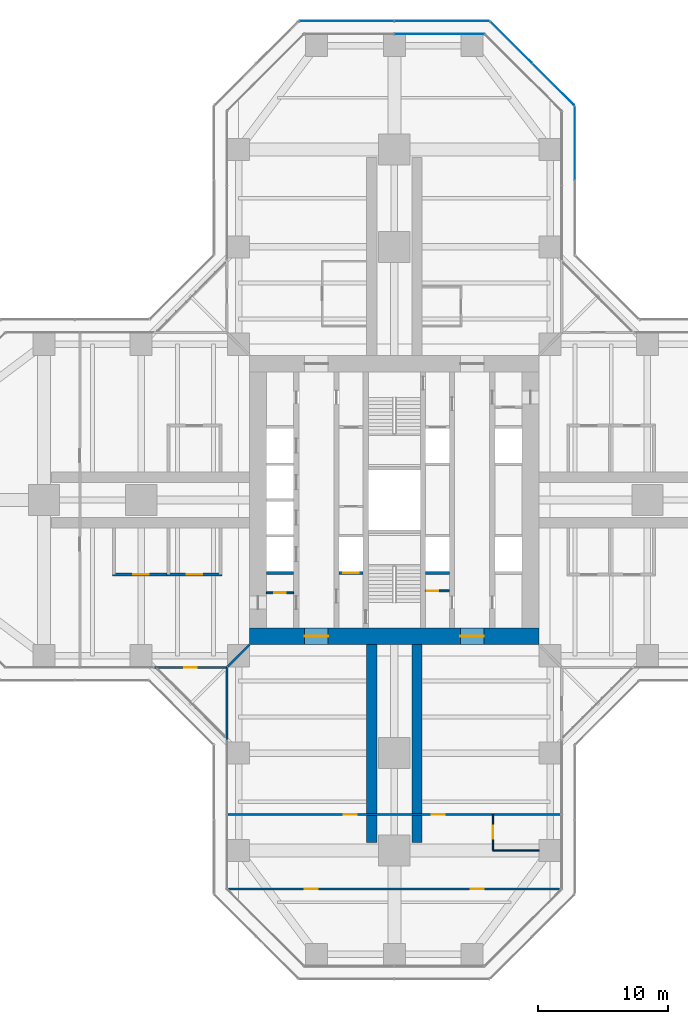
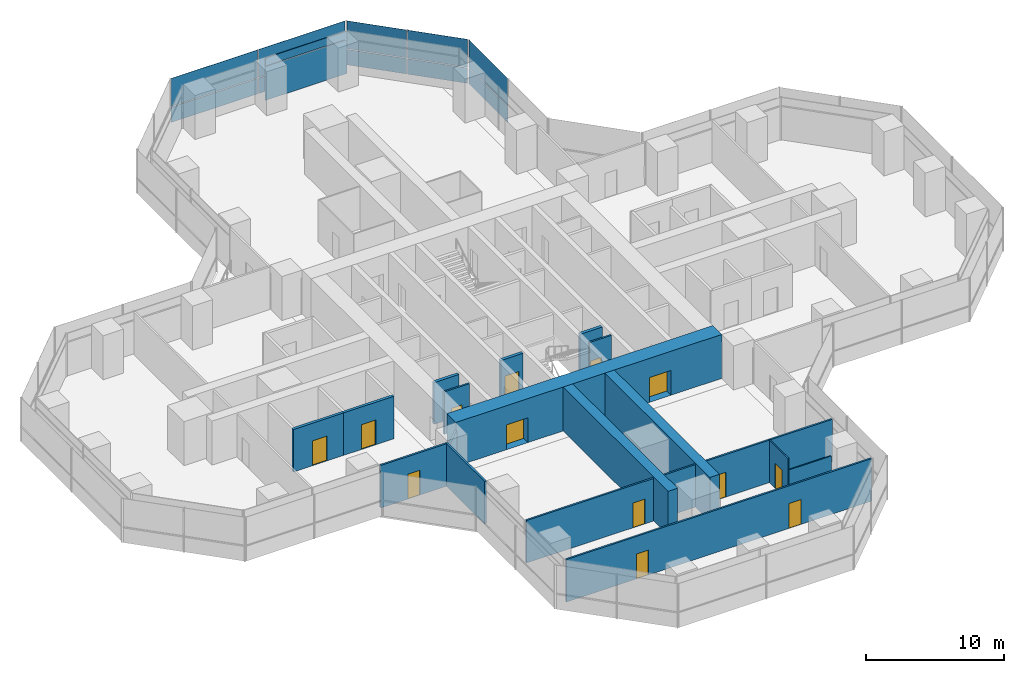
# One storey, part 17 of 22: 17 walls, 13 doors, 12 plates, 13 openings, 4 elements without a shape of their own.
"""IFC4 building model written with IfcOpenShell, lengths in metres."""

import ifcopenshell
import ifcopenshell.guid

model = None  # the IFC model being written
_history = None  # IfcOwnerHistory: only IFC2X3 demands one
_inside = {}  # id of a spatial element -> (the spatial element, [elements in it])
_under = {}  # id of a project, library or spatial element -> (it, [spatial elements below it])
_declared = {}  # id of a project -> (the project, [libraries it declares])
_typed = {}  # id of a type object -> (the type object, [elements of that type])
_made_of = {}  # id of a material, layer set ... -> (it, [elements and type objects made of it])


def new_model(schema):
    """Start an empty IFC model of exactly this schema.

    Asked for "IFC4X3", IfcOpenShell would pick the latest addendum, in which some entities
    have other attributes; the version numbers below select the first issue.
    IFC2X3 requires an IfcOwnerHistory on every rooted entity: one is made here for all.
    """
    global model, _history
    if schema == "IFC4X3":
        model = ifcopenshell.file(schema_version=(4, 3, 0, 0))
    else:
        model = ifcopenshell.file(schema=schema)
    _inside.clear()
    _under.clear()
    _declared.clear()
    _typed.clear()
    _made_of.clear()
    _history = None
    if model.schema == "IFC2X3":
        org = make("IfcOrganization", Name="unknown")
        user = make(
            "IfcPersonAndOrganization",
            ThePerson=make("IfcPerson", FamilyName="unknown"),
            TheOrganization=org,
        )
        app = make(
            "IfcApplication",
            ApplicationDeveloper=org,
            Version="unknown",
            ApplicationFullName="unknown",
            ApplicationIdentifier="unknown",
        )
        _history = make(
            "IfcOwnerHistory",
            OwningUser=user,
            OwningApplication=app,
            ChangeAction="ADDED",
            CreationDate=0,
        )
    return model


def make(cls, **values):
    """One entity of the class cls with the attributes given. An attribute that is None is left unset."""
    return model.create_entity(
        cls, **{name: value for name, value in values.items() if value is not None}
    )


def rooted(cls, **values):
    """An entity with a GlobalId (a new one), such as an element, a storey or a relation."""
    return make(cls, GlobalId=ifcopenshell.guid.new(), OwnerHistory=_history, **values)


def si_unit(unit_type, name, prefix=None):
    """IfcSIUnit, for example si_unit("LENGTHUNIT", "METRE", prefix="MILLI")."""
    return make("IfcSIUnit", UnitType=unit_type, Prefix=prefix, Name=name)


def assignment(units):
    """IfcUnitAssignment: the units of a project."""
    return None if units is None else make("IfcUnitAssignment", Units=units)


def point(xyz):
    """IfcCartesianPoint."""
    return None if xyz is None else make("IfcCartesianPoint", Coordinates=xyz)


def direction(xyz):
    """IfcDirection."""
    return None if xyz is None else make("IfcDirection", DirectionRatios=xyz)


def frame(location, z_axis=None, x_axis=None):
    """IfcAxis2Placement3D, a coordinate frame: its origin and axes. An axis left out is left unset."""
    return make(
        "IfcAxis2Placement3D",
        Location=point(location),
        Axis=direction(z_axis),
        RefDirection=direction(x_axis),
    )


def frame_2d(location, x_axis=None):
    """IfcAxis2Placement2D, a coordinate frame in the plane: its origin and x axis."""
    return make(
        "IfcAxis2Placement2D", Location=point(location), RefDirection=direction(x_axis)
    )


def origin():
    """The frame at (0, 0, 0) with its axes left unset."""
    return frame((0.0, 0.0, 0.0))


def origin_2d():
    """The frame at (0, 0) in the plane with its x axis left unset."""
    return frame_2d((0.0, 0.0))


def place(relative_to, where):
    """IfcLocalPlacement: puts the frame where relative to a parent placement (None: the world)."""
    return make(
        "IfcLocalPlacement", PlacementRelTo=relative_to, RelativePlacement=where
    )


def context(
    kind, dimensions, precision=None, world=None, true_north=None, identifier=None
):
    """IfcGeometricRepresentationContext, for example the 3D "Model" context."""
    return make(
        "IfcGeometricRepresentationContext",
        ContextIdentifier=identifier,
        ContextType=kind,
        CoordinateSpaceDimension=dimensions,
        Precision=precision,
        WorldCoordinateSystem=world,
        TrueNorth=true_north,
    )


def subcontext(parent, identifier, kind, view, scale=None):
    """IfcGeometricRepresentationSubContext, for example "Body" below "Model"."""
    return make(
        "IfcGeometricRepresentationSubContext",
        ContextIdentifier=identifier,
        ContextType=kind,
        ParentContext=parent,
        TargetScale=scale,
        TargetView=view,
    )


def project(units=None, contexts=None):
    """IfcProject with its units and contexts."""
    return rooted(
        "IfcProject",
        Name="project",
        RepresentationContexts=contexts,
        UnitsInContext=assignment(units),
    )


def spatial(cls, under=None, at=None, **own):
    """A site, building, storey or space (cls), placed at a placement, below another one or the project."""
    s = rooted(cls, ObjectPlacement=at, **own)
    if under is not None:
        _under.setdefault(under.id(), (under, []))[1].append(s)
    return s


def profile(cls, at=None, kind="AREA", **sizes):
    """A parametric profile (cls). Its sizes go by their IFC names, for example OverallWidth=200.0."""
    return make(cls, ProfileType=kind, Position=at, **sizes)


def rectangle(**sizes):
    """IfcRectangleProfileDef."""
    return profile("IfcRectangleProfileDef", **sizes)


def extrude(swept, where, along, depth):
    """IfcExtrudedAreaSolid: the profile swept, set in the frame where, extruded along a direction by depth."""
    return make(
        "IfcExtrudedAreaSolid",
        SweptArea=swept,
        Position=where,
        ExtrudedDirection=direction(along),
        Depth=depth,
    )


def shape(context_of_items, identifier, shape_type, items):
    """IfcShapeRepresentation: the items that make up one representation, for example the "Body"."""
    return make(
        "IfcShapeRepresentation",
        ContextOfItems=context_of_items,
        RepresentationIdentifier=identifier,
        RepresentationType=shape_type,
        Items=items,
    )


def material(Name=None, Category=None):
    """IfcMaterial."""
    return make("IfcMaterial", Name=Name, Category=Category)


def layer(
    of_material, thickness, ventilated=None, Name=None, Category=None, Priority=None
):
    """IfcMaterialLayer: one layer of a wall or slab, of a material (None: an air gap)."""
    return make(
        "IfcMaterialLayer",
        Material=of_material,
        LayerThickness=thickness,
        IsVentilated=ventilated,
        Name=Name,
        Category=Category,
        Priority=Priority,
    )


def layer_set(layers, Name=None):
    """IfcMaterialLayerSet."""
    return make("IfcMaterialLayerSet", MaterialLayers=layers, LayerSetName=Name)


def made_of(thing, what):
    """Note that an element or type object is made of a material, layer set ...; save() writes the relation."""
    if what is not None:
        _made_of.setdefault(what.id(), (what, []))[1].append(thing)
    return thing


def type_object(cls, material=None, **own):
    """A type object (cls), such as IfcWallType, which elements share."""
    return made_of(rooted(cls, **own), material)


def element(
    cls,
    number,
    at=None,
    inside=None,
    cuts=None,
    type_object=None,
    material=None,
    context=None,
    identifier="Body",
    shape_type=None,
    held_by="IfcProductDefinitionShape",
    body=None,
    shapes=None,
    **own,
):
    """One element of the class cls, such as IfcWall. Its Tag is "e" and its number.

    at: its placement. inside: the storey or other place that contains it. cuts: it is an
    opening in that element (IfcRelVoidsElement). A single representation is given by context,
    identifier, shape_type and body (its items); several are given by shapes. held_by: the class
    of the entity that holds the representations. save() writes the other relations.
    """
    e = rooted(cls, Tag="e%d" % number, ObjectPlacement=at, **own)
    if body is not None:
        shapes = [shape(context, identifier, shape_type, body)]
    if shapes is not None:
        e.Representation = make(held_by, Representations=shapes)
    if inside is not None:
        _inside.setdefault(inside.id(), (inside, []))[1].append(e)
    if cuts is not None:
        rooted(
            "IfcRelVoidsElement", RelatingBuildingElement=cuts, RelatedOpeningElement=e
        )
    if type_object is not None:
        _typed.setdefault(type_object.id(), (type_object, []))[1].append(e)
    return made_of(e, material)


def fill(opening, filler):
    """IfcRelFillsElement: the door or window that sits in an opening."""
    return rooted(
        "IfcRelFillsElement",
        RelatingOpeningElement=opening,
        RelatedBuildingElement=filler,
    )


def aggregate(whole, parts):
    """IfcRelAggregates: a whole, such as a stair, and the parts it consists of."""
    return rooted("IfcRelAggregates", RelatingObject=whole, RelatedObjects=parts)


def save(model, path):
    """Write the relations noted so far, then the file.

    IfcRelAggregates (storeys below a building ...), IfcRelContainedInSpatialStructure (elements
    in a storey), IfcRelDefinesByType, IfcRelAssociatesMaterial and IfcRelDeclares: one each for
    every whole, place, type object, material and project.
    """
    for whole, parts in _under.values():
        aggregate(whole, parts)
    for where, things in _inside.values():
        rooted(
            "IfcRelContainedInSpatialStructure",
            RelatedElements=things,
            RelatingStructure=where,
        )
    for kind, things in _typed.values():
        rooted("IfcRelDefinesByType", RelatedObjects=things, RelatingType=kind)
    for what, things in _made_of.values():
        rooted("IfcRelAssociatesMaterial", RelatedObjects=things, RelatingMaterial=what)
    for by, libraries in _declared.values():
        rooted("IfcRelDeclares", RelatingContext=by, RelatedDefinitions=libraries)
    model.write(path)


model = new_model("IFC4")

# Units and contexts
model_context = context("Model", 3, precision=1e-05, world=origin(), true_north=direction((0.0, 1.0)))
body_context = subcontext(model_context, "Body", "Model", "MODEL_VIEW")
ifc_project = project(units=[si_unit("LENGTHUNIT", "METRE"), si_unit("AREAUNIT", "SQUARE_METRE"), si_unit("VOLUMEUNIT", "CUBIC_METRE"), si_unit("PLANEANGLEUNIT", "RADIAN"), si_unit("MASSUNIT", "GRAM", prefix="KILO")], contexts=[model_context])

# Site, building, storey
site_placement = place(None, origin())
site = spatial("IfcSite", under=ifc_project, at=site_placement, CompositionType="ELEMENT")
building_placement = place(site_placement, origin())
building = spatial("IfcBuilding", under=site, at=building_placement, Name="Mizan Broadcast Tower", CompositionType="ELEMENT")
storey_placement = place(building_placement, frame((0.0, 0.0, 59.10009765625)))
storey = spatial("IfcBuildingStorey", under=building, at=storey_placement, Name="L11", CompositionType="ELEMENT", Elevation=59.10009765625)

# Curtain wall, plates
ifc_material_1 = material(Name="Aluminium framed glazing", Category="aluminium")
curtain_wall_type_1 = type_object("IfcCurtainWallType", Name="INNER SKIN LOW ZONE", PredefinedType="USERDEFINED", material=ifc_material_1)
curtain_wall_1_placement = place(storey_placement, origin())
curtain_wall_1 = element("IfcCurtainWall", 1, at=curtain_wall_1_placement, inside=storey, type_object=curtain_wall_type_1, Name="Inner skin low zone L11 N end", ObjectType="INNER SKIN LOW ZONE", PredefinedType="USERDEFINED")
ifc_material_2 = material(Name="Double glazing, clear low-e", Category="glass")
ifc_layer_1 = layer(ifc_material_2, 0.028076171875)
ifc_layer_set_1 = layer_set([ifc_layer_1], Name="Double glazing, clear low-e")
plate_type_1 = type_object("IfcPlateType", Name="INNER SKIN GLAZING UNIT", PredefinedType="CURTAIN_PANEL", material=ifc_layer_set_1)
plate_1_placement = place(storey_placement, frame((3.46435546875, 35.89990234375, 0.0), z_axis=(0.0, 0.0, 1.0), x_axis=(-1.0, 0.0, 0.0)))
plate_1 = element("IfcPlate", 2, at=plate_1_placement, type_object=plate_type_1, Name="Inner skin low zone L11 N end panel 1.1", PredefinedType="CURTAIN_PANEL", context=body_context, shape_type="SweptSolid", body=[
    extrude(rectangle(XDim=6.86865234375, YDim=0.028076171875, at=origin_2d()), origin(), (0.0, 0.0, 1.0), 3.0),
])
ifc_material_3 = material(Name="Insulated aluminium spandrel panel, pale anodised", Category="aluminium")
ifc_layer_2 = layer(ifc_material_3, 0.050048828125)
ifc_layer_set_2 = layer_set([ifc_layer_2], Name="Insulated aluminium spandrel panel, pale anodised")
plate_type_2 = type_object("IfcPlateType", Name="INNER SKIN SPANDREL PANEL", PredefinedType="CURTAIN_PANEL", material=ifc_layer_set_2)
plate_2_placement = place(storey_placement, frame((3.46435546875, 35.89990234375, 3.059814453125), z_axis=(0.0, 0.0, 1.0), x_axis=(-1.0, 0.0, 0.0)))
plate_2 = element("IfcPlate", 3, at=plate_2_placement, type_object=plate_type_2, Name="Inner skin low zone L11 N end panel 1.2", PredefinedType="CURTAIN_PANEL", context=body_context, shape_type="SweptSolid", body=[
    extrude(rectangle(XDim=6.86865234375, YDim=0.050048828125, at=origin_2d()), origin(), (0.0, 0.0, 1.0), 0.7099609375),
])
aggregate(curtain_wall_1, [plate_1, plate_2])

ifc_material_4 = material(Name="Aluminium framed glazing", Category="aluminium")
curtain_wall_type_2 = type_object("IfcCurtainWallType", Name="OUTER SKIN", PredefinedType="USERDEFINED", material=ifc_material_4)
curtain_wall_2_placement = place(storey_placement, origin())
curtain_wall_2 = element("IfcCurtainWall", 4, at=curtain_wall_2_placement, inside=storey, type_object=curtain_wall_type_2, Name="Outer skin L11 N chamfer", ObjectType="OUTER SKIN", PredefinedType="USERDEFINED")
ifc_material_5 = material(Name="Laminated clear glass", Category="glass")
ifc_layer_3 = layer(ifc_material_5, 0.02001953125)
ifc_layer_set_3 = layer_set([ifc_layer_3], Name="Laminated clear glass")
plate_type_3 = type_object("IfcPlateType", Name="OUTER SKIN CLEAR GLASS", PredefinedType="CURTAIN_PANEL", material=ifc_layer_set_3)
plate_3_placement = place(storey_placement, frame((12.254150390625, 32.018798828125, -0.000244140625), z_axis=(0.0, 0.0, 1.0), x_axis=(-0.707106781187, 0.707106781187, 0.0)))
plate_3 = element("IfcPlate", 5, at=plate_3_placement, type_object=plate_type_3, Name="Outer skin L11 N chamfer panel 1.1", PredefinedType="CURTAIN_PANEL", context=body_context, shape_type="SweptSolid", body=[
    extrude(rectangle(XDim=4.495361328125, YDim=0.02001953125, at=origin_2d()), origin(), (0.0, 0.0, 1.0), 1.3701171875),
])
plate_4_placement = place(storey_placement, frame((12.254150390625, 32.018798828125, 1.4296875), z_axis=(0.0, 0.0, 1.0), x_axis=(-0.707106781187, 0.707106781187, 0.0)))
plate_4 = element("IfcPlate", 6, at=plate_4_placement, type_object=plate_type_3, Name="Outer skin L11 N chamfer panel 1.2", PredefinedType="CURTAIN_PANEL", context=body_context, shape_type="SweptSolid", body=[
    extrude(rectangle(XDim=4.495361328125, YDim=0.02001953125, at=origin_2d()), origin(), (0.0, 0.0, 1.0), 2.469970703125),
])

curtain_wall_3_placement = place(storey_placement, origin())
curtain_wall_3 = element("IfcCurtainWall", 7, at=curtain_wall_3_placement, inside=storey, type_object=curtain_wall_type_2, Name="Outer skin L11 N end", ObjectType="OUTER SKIN", PredefinedType="USERDEFINED")
plate_5_placement = place(storey_placement, frame((3.66650390625, 36.89990234375, -0.000244140625), z_axis=(0.0, 0.0, 1.0), x_axis=(-1.0, 0.0, 0.0)))
plate_5 = element("IfcPlate", 8, at=plate_5_placement, type_object=plate_type_3, Name="Outer skin L11 N end panel 1.1", PredefinedType="CURTAIN_PANEL", context=body_context, shape_type="SweptSolid", body=[
    extrude(rectangle(XDim=7.252685546875, YDim=0.02001953125, at=origin_2d()), origin(), (0.0, 0.0, 1.0), 1.3701171875),
])
plate_6_placement = place(storey_placement, frame((3.66650390625, 36.89990234375, 1.4296875), z_axis=(0.0, 0.0, 1.0), x_axis=(-1.0, 0.0, 0.0)))
plate_6 = element("IfcPlate", 9, at=plate_6_placement, type_object=plate_type_3, Name="Outer skin L11 N end panel 1.2", PredefinedType="CURTAIN_PANEL", context=body_context, shape_type="SweptSolid", body=[
    extrude(rectangle(XDim=7.252685546875, YDim=0.02001953125, at=origin_2d()), origin(), (0.0, 0.0, 1.0), 2.469970703125),
])
plate_7_placement = place(storey_placement, frame((-3.66650390625, 36.89990234375, -0.000244140625), z_axis=(0.0, 0.0, 1.0), x_axis=(-1.0, 0.0, 0.0)))
plate_7 = element("IfcPlate", 10, at=plate_7_placement, type_object=plate_type_3, Name="Outer skin L11 N end panel 2.1", PredefinedType="CURTAIN_PANEL", context=body_context, shape_type="SweptSolid", body=[
    extrude(rectangle(XDim=7.252685546875, YDim=0.02001953125, at=origin_2d()), origin(), (0.0, 0.0, 1.0), 1.3701171875),
])
plate_8_placement = place(storey_placement, frame((-3.66650390625, 36.89990234375, 1.4296875), z_axis=(0.0, 0.0, 1.0), x_axis=(-1.0, 0.0, 0.0)))
plate_8 = element("IfcPlate", 11, at=plate_8_placement, type_object=plate_type_3, Name="Outer skin L11 N end panel 2.2", PredefinedType="CURTAIN_PANEL", context=body_context, shape_type="SweptSolid", body=[
    extrude(rectangle(XDim=7.252685546875, YDim=0.02001953125, at=origin_2d()), origin(), (0.0, 0.0, 1.0), 2.469970703125),
])
aggregate(curtain_wall_3, [plate_5, plate_6, plate_7, plate_8])

curtain_wall_4_placement = place(storey_placement, origin())
curtain_wall_4 = element("IfcCurtainWall", 12, at=curtain_wall_4_placement, inside=storey, type_object=curtain_wall_type_2, Name="Outer skin L11 N side", ObjectType="OUTER SKIN", PredefinedType="USERDEFINED")
ifc_material_6 = material(Name="Perforated aluminium, pale anodised", Category="aluminium")
ifc_layer_4 = layer(ifc_material_6, 0.011962890625)
ifc_layer_set_4 = layer_set([ifc_layer_4], Name="Perforated aluminium, pale anodised")
plate_type_4 = type_object("IfcPlateType", Name="OUTER SKIN PERFORATED SCREEN", PredefinedType="USERDEFINED", material=ifc_layer_set_4)
plate_9_placement = place(storey_placement, frame((13.89990234375, 27.477783203125, -0.000244140625), z_axis=(0.0, 0.0, 1.0), x_axis=(0.0, 1.0, 0.0)))
plate_9 = element("IfcPlate", 13, at=plate_9_placement, type_object=plate_type_4, Name="Outer skin L11 N side panel 2.1", ObjectType="SCREEN", PredefinedType="USERDEFINED", context=body_context, shape_type="SweptSolid", body=[
    extrude(rectangle(XDim=5.6298828125, YDim=0.011962890625, at=origin_2d()), origin(), (0.0, 0.0, 1.0), 1.3701171875),
])
plate_10_placement = place(storey_placement, frame((13.89990234375, 27.477783203125, 1.4296875), z_axis=(0.0, 0.0, 1.0), x_axis=(0.0, 1.0, 0.0)))
plate_10 = element("IfcPlate", 14, at=plate_10_placement, type_object=plate_type_4, Name="Outer skin L11 N side panel 2.2", ObjectType="SCREEN", PredefinedType="USERDEFINED", context=body_context, shape_type="SweptSolid", body=[
    extrude(rectangle(XDim=5.6298828125, YDim=0.011962890625, at=origin_2d()), origin(), (0.0, 0.0, 1.0), 2.469970703125),
])
aggregate(curtain_wall_4, [plate_9, plate_10])

# Plate
plate_11_placement = place(storey_placement, frame((9.018798828125, 35.254150390625, -0.000244140625), z_axis=(0.0, 0.0, 1.0), x_axis=(-0.707106781187, 0.707106781187, 0.0)))
plate_11 = element("IfcPlate", 15, at=plate_11_placement, type_object=plate_type_4, Name="Outer skin L11 N chamfer panel 2.1", ObjectType="SCREEN", PredefinedType="USERDEFINED", context=body_context, shape_type="SweptSolid", body=[
    extrude(rectangle(XDim=4.495361328125, YDim=0.011962890625, at=origin_2d()), origin(), (0.0, 0.0, 1.0), 1.3701171875),
])

plate_12_placement = place(storey_placement, frame((9.018798828125, 35.254150390625, 1.4296875), z_axis=(0.0, 0.0, 1.0), x_axis=(-0.707106781187, 0.707106781187, 0.0)))
plate_12 = element("IfcPlate", 16, at=plate_12_placement, type_object=plate_type_4, Name="Outer skin L11 N chamfer panel 2.2", ObjectType="SCREEN", PredefinedType="USERDEFINED", context=body_context, shape_type="SweptSolid", body=[
    extrude(rectangle(XDim=4.495361328125, YDim=0.011962890625, at=origin_2d()), origin(), (0.0, 0.0, 1.0), 2.469970703125),
])

aggregate(curtain_wall_2, [plate_3, plate_4, plate_11, plate_12])

# Wall, opening, door
ifc_material_7 = material(Name="Concrete blockwork", Category="masonry")
ifc_layer_5 = layer(ifc_material_7, 0.14990234375)
ifc_layer_set_5 = layer_set([ifc_layer_5], Name="Concrete blockwork")
wall_type_1 = type_object("IfcWallType", Name="CORE PARTITION 150", PredefinedType="SOLIDWALL", material=ifc_layer_set_5)
wall_1_placement = place(storey_placement, frame((2.39990234375, -7.0, 0.0), z_axis=(0.0, 0.0, 1.0), x_axis=(1.0, 0.0, 0.0)))
wall_1 = element("IfcWall", 17, at=wall_1_placement, inside=storey, type_object=wall_type_1, Name="Core partition CORE/XPC", PredefinedType="SOLIDWALL", context=body_context, shape_type="SweptSolid", body=[
    extrude(rectangle(XDim=1.85009765625, YDim=0.14990234375, at=frame_2d((0.925048828125, 0.0))), origin(), (0.0, 0.0, 1.0), 3.77001953125),
])
opening_1_placement = place(wall_1_placement, frame((0.10009765625, 0.0, 0.0)))
opening_1 = element("IfcOpeningElement", 18, at=opening_1_placement, cuts=wall_1, Name="Opening D09F", PredefinedType="OPENING", context=body_context, shape_type="SweptSolid", body=[
    extrude(rectangle(XDim=0.89990234375, YDim=2.10009765625, at=frame_2d((0.449951171875, 1.050048828125))), frame((0.0, 0.0849609375, 0.0), z_axis=(0.0, -1.0, 0.0), x_axis=(1.0, 0.0, 0.0)), (0.0, 0.0, 1.0), 0.169921875),
])
ifc_material_8 = material(Name="Steel door leaf in steel frame", Category="steel")
door_type_1 = type_object("IfcDoorType", Name="CORE ROOM DOOR 900 FD90", OperationType="SINGLE_SWING_LEFT", PredefinedType="DOOR", material=ifc_material_8)
door_1_placement = place(opening_1_placement, origin())
door_1 = element("IfcDoor", 19, at=door_1_placement, inside=storey, type_object=door_type_1, Name="Cleaning materials store door", OperationType="SINGLE_SWING_LEFT", OverallHeight=2.10009765625, OverallWidth=0.89990234375, PredefinedType="DOOR", context=body_context, shape_type="SweptSolid", body=[
    extrude(rectangle(XDim=0.89990234375, YDim=2.10009765625, at=frame_2d((0.449951171875, 1.050048828125))), frame((0.0, 0.02490234375, 0.0), z_axis=(0.0, -1.0, 0.0), x_axis=(1.0, 0.0, 0.0)), (0.0, 0.0, 1.0), 0.050048828125),
])
fill(opening_1, door_1)

wall_2_placement = place(storey_placement, frame((-9.85009765625, -7.14990234375, 0.0), z_axis=(0.0, 0.0, 1.0), x_axis=(1.0, 0.0, 0.0)))
wall_2 = element("IfcWall", 20, at=wall_2_placement, inside=storey, type_object=wall_type_1, Name="Core partition CORE/XPW", PredefinedType="SOLIDWALL", context=body_context, shape_type="SweptSolid", body=[
    extrude(rectangle(XDim=2.10009765625, YDim=0.14990234375, at=frame_2d((1.050048828125, 0.0))), origin(), (0.0, 0.0, 1.0), 3.77001953125),
])
opening_2_placement = place(wall_2_placement, frame((0.60009765625, 0.0, 0.0)))
opening_2 = element("IfcOpeningElement", 21, at=opening_2_placement, cuts=wall_2, Name="Opening D09F", PredefinedType="OPENING", context=body_context, shape_type="SweptSolid", body=[
    extrude(rectangle(XDim=0.89990234375, YDim=2.10009765625, at=frame_2d((0.449951171875, 1.050048828125))), frame((0.0, 0.0849609375, 0.0), z_axis=(0.0, -1.0, 0.0), x_axis=(1.0, 0.0, 0.0)), (0.0, 0.0, 1.0), 0.169921875),
])
door_2_placement = place(opening_2_placement, origin())
door_2 = element("IfcDoor", 22, at=door_2_placement, inside=storey, type_object=door_type_1, Name="Fire hose reel cupboard door", OperationType="SINGLE_SWING_RIGHT", OverallHeight=2.10009765625, OverallWidth=0.89990234375, PredefinedType="DOOR", context=body_context, shape_type="SweptSolid", body=[
    extrude(rectangle(XDim=0.89990234375, YDim=2.10009765625, at=frame_2d((0.449951171875, 1.050048828125))), frame((0.0, 0.02490234375, 0.0), z_axis=(0.0, -1.0, 0.0), x_axis=(1.0, 0.0, 0.0)), (0.0, 0.0, 1.0), 0.050048828125),
])
fill(opening_2, door_2)

# Wall, openings, doors
ifc_material_9 = material(Name="Concrete C70/85", Category="concrete")
ifc_layer_6 = layer(ifc_material_9, 1.300048828125)
ifc_layer_set_6 = layer_set([ifc_layer_6], Name="Concrete C70/85")
wall_type_2 = type_object("IfcWallType", Name="CORE WALL 1300", PredefinedType="SHEAR", material=ifc_layer_set_6)
wall_3_placement = place(storey_placement, frame((11.14990234375, -10.5, 0.0), z_axis=(0.0, 0.0, 1.0), x_axis=(-1.0, 0.0, 0.0)))
wall_3 = element("IfcWall", 23, at=wall_3_placement, inside=storey, type_object=wall_type_2, Name="Core wall S L11", PredefinedType="SHEAR", context=body_context, shape_type="SweptSolid", body=[
    extrude(rectangle(XDim=22.2998046875, YDim=1.300048828125, at=frame_2d((11.14990234375, 0.0))), origin(), (0.0, 0.0, 1.0), 3.89990234375),
])
opening_3_placement = place(wall_3_placement, frame((16.25, 0.0, 0.0)))
opening_3 = element("IfcOpeningElement", 24, at=opening_3_placement, cuts=wall_3, Name="Opening D18F", PredefinedType="OPENING", context=body_context, shape_type="SweptSolid", body=[
    extrude(rectangle(XDim=1.800048828125, YDim=2.199951171875, at=frame_2d((0.89990234375, 1.10009765625))), frame((0.0, 0.659912109375, 0.0), z_axis=(0.0, -1.0, 0.0), x_axis=(1.0, 0.0, 0.0)), (0.0, 0.0, 1.0), 1.320068359375),
])
opening_4_placement = place(wall_3_placement, frame((4.25, 0.0, 0.0)))
opening_4 = element("IfcOpeningElement", 25, at=opening_4_placement, cuts=wall_3, Name="Opening D18F", PredefinedType="OPENING", context=body_context, shape_type="SweptSolid", body=[
    extrude(rectangle(XDim=1.800048828125, YDim=2.199951171875, at=frame_2d((0.89990234375, 1.10009765625))), frame((0.0, 0.659912109375, 0.0), z_axis=(0.0, -1.0, 0.0), x_axis=(1.0, 0.0, 0.0)), (0.0, 0.0, 1.0), 1.320068359375),
])
ifc_material_10 = material(Name="Steel door leaf in steel frame", Category="steel")
door_type_2 = type_object("IfcDoorType", Name="LOBBY DOUBLE DOOR 1800 FD90", OperationType="DOUBLE_DOOR_DOUBLE_SWING", PredefinedType="DOOR", material=ifc_material_10)
door_3_placement = place(opening_3_placement, origin())
door_3 = element("IfcDoor", 26, at=door_3_placement, inside=storey, type_object=door_type_2, Name="West lift lobby south door", OperationType="DOUBLE_DOOR_DOUBLE_SWING", OverallHeight=2.199951171875, OverallWidth=1.800048828125, PredefinedType="DOOR", context=body_context, shape_type="SweptSolid", body=[
    extrude(rectangle(XDim=1.800048828125, YDim=2.199951171875, at=frame_2d((0.89990234375, 1.10009765625))), frame((0.0, 0.02490234375, 0.0), z_axis=(0.0, -1.0, 0.0), x_axis=(1.0, 0.0, 0.0)), (0.0, 0.0, 1.0), 0.050048828125),
])
fill(opening_3, door_3)
door_4_placement = place(opening_4_placement, origin())
door_4 = element("IfcDoor", 27, at=door_4_placement, inside=storey, type_object=door_type_2, Name="East lift lobby south door", OperationType="DOUBLE_DOOR_DOUBLE_SWING", OverallHeight=2.199951171875, OverallWidth=1.800048828125, PredefinedType="DOOR", context=body_context, shape_type="SweptSolid", body=[
    extrude(rectangle(XDim=1.800048828125, YDim=2.199951171875, at=frame_2d((0.89990234375, 1.10009765625))), frame((0.0, 0.02490234375, 0.0), z_axis=(0.0, -1.0, 0.0), x_axis=(1.0, 0.0, 0.0)), (0.0, 0.0, 1.0), 0.050048828125),
])
fill(opening_4, door_4)

# Wall, opening, door
ifc_material_11 = material(Name="Aluminium framed glazed screen", Category="aluminium")
ifc_layer_7 = layer(ifc_material_11, 0.159912109375)
ifc_layer_set_7 = layer_set([ifc_layer_7], Name="Aluminium framed glazed screen")
wall_type_3 = type_object("IfcWallType", Name="GLAZED SCREEN WALL 160", PredefinedType="SOLIDWALL", material=ifc_layer_set_7)
wall_4_placement = place(storey_placement, frame((-18.5, -12.89990234375, 0.0), z_axis=(0.0, 0.0, 1.0), x_axis=(1.0, 0.0, 0.0)))
wall_4 = element("IfcWall", 28, at=wall_4_placement, inside=storey, type_object=wall_type_3, Name="Winter garden screen L11 W", PredefinedType="SOLIDWALL", context=body_context, shape_type="SweptSolid", body=[
    extrude(rectangle(XDim=5.60009765625, YDim=0.159912109375, at=frame_2d((2.800048828125, 0.0))), origin(), (0.0, 0.0, 1.0), 3.77001953125),
])
opening_5_placement = place(wall_4_placement, frame((2.300048828125, 0.0, 0.0)))
opening_5 = element("IfcOpeningElement", 29, at=opening_5_placement, cuts=wall_4, Name="Opening WGD", PredefinedType="OPENING", context=body_context, shape_type="SweptSolid", body=[
    extrude(rectangle(XDim=1.0, YDim=2.199951171875, at=frame_2d((0.5, 1.10009765625))), frame((0.0, 0.08984375, 0.0), z_axis=(0.0, -1.0, 0.0), x_axis=(1.0, 0.0, 0.0)), (0.0, 0.0, 1.0), 0.179931640625),
])
ifc_material_12 = material(Name="Aluminium framed glazed door", Category="aluminium")
door_type_3 = type_object("IfcDoorType", Name="WINTER GARDEN DOOR 1000 GLAZED", OperationType="SINGLE_SWING_LEFT", PredefinedType="DOOR", material=ifc_material_12)
door_5_placement = place(opening_5_placement, origin())
door_5 = element("IfcDoor", 30, at=door_5_placement, inside=storey, type_object=door_type_3, Name="Winter garden door L11 W", OperationType="SINGLE_SWING_RIGHT", OverallHeight=2.199951171875, OverallWidth=1.0, PredefinedType="DOOR", context=body_context, shape_type="SweptSolid", body=[
    extrude(rectangle(XDim=1.0, YDim=2.199951171875, at=frame_2d((0.5, 1.10009765625))), frame((0.0, 0.02490234375, 0.0), z_axis=(0.0, -1.0, 0.0), x_axis=(1.0, 0.0, 0.0)), (0.0, 0.0, 1.0), 0.050048828125),
])
fill(opening_5, door_5)

# Walls
wall_5_placement = place(storey_placement, frame((-12.89990234375, -12.89990234375, 0.0), z_axis=(0.0, 0.0, 1.0), x_axis=(0.0, -1.0, 0.0)))
element("IfcWall", 31, at=wall_5_placement, inside=storey, type_object=wall_type_3, Name="Winter garden screen L11 S", PredefinedType="SOLIDWALL", context=body_context, shape_type="SweptSolid", body=[
    extrude(rectangle(XDim=5.60009765625, YDim=0.159912109375, at=frame_2d((2.800048828125, 0.0))), origin(), (0.0, 0.0, 1.0), 3.77001953125),
])
ifc_material_13 = material(Name="Concrete blockwork", Category="masonry")
ifc_layer_8 = layer(ifc_material_13, 0.25)
ifc_layer_set_8 = layer_set([ifc_layer_8], Name="Concrete blockwork")
wall_type_4 = type_object("IfcWallType", Name="LOBBY ENCLOSURE WALL 250", PredefinedType="SOLIDWALL", material=ifc_layer_set_8)
wall_6_placement = place(storey_placement, frame((-9.85009765625, -5.625, 0.0), z_axis=(0.0, 0.0, 1.0), x_axis=(1.0, 0.0, 0.0)))
element("IfcWall", 32, at=wall_6_placement, inside=storey, type_object=wall_type_4, Name="Lobby enclosure wall CORE/BW1S", PredefinedType="SOLIDWALL", context=body_context, shape_type="SweptSolid", body=[
    extrude(rectangle(XDim=2.10009765625, YDim=0.25, at=frame_2d((1.050048828125, 0.0))), origin(), (0.0, 0.0, 1.0), 3.699951171875),
])

# Wall, opening, door
wall_7_placement = place(storey_placement, frame((-4.25, -5.625, 0.0), z_axis=(0.0, 0.0, 1.0), x_axis=(1.0, 0.0, 0.0)))
wall_7 = element("IfcWall", 33, at=wall_7_placement, inside=storey, type_object=wall_type_4, Name="Lobby enclosure wall CORE/BW2S", PredefinedType="SOLIDWALL", context=body_context, shape_type="SweptSolid", body=[
    extrude(rectangle(XDim=1.85009765625, YDim=0.25, at=frame_2d((0.925048828125, 0.0))), origin(), (0.0, 0.0, 1.0), 3.699951171875),
])
opening_6_placement = place(wall_7_placement, frame((0.324951171875, 0.0, 0.0)))
opening_6 = element("IfcOpeningElement", 34, at=opening_6_placement, cuts=wall_7, Name="Opening LDF", PredefinedType="OPENING", context=body_context, shape_type="SweptSolid", body=[
    extrude(rectangle(XDim=1.199951171875, YDim=2.199951171875, at=frame_2d((0.60009765625, 1.10009765625))), frame((0.0, 0.135009765625, 0.0), z_axis=(0.0, -1.0, 0.0), x_axis=(1.0, 0.0, 0.0)), (0.0, 0.0, 1.0), 0.27001953125),
])
ifc_material_14 = material(Name="Steel door leaf in steel frame", Category="steel")
door_type_4 = type_object("IfcDoorType", Name="FIREFIGHTING LIFT LANDING DOOR 1200", OperationType="SLIDING_TO_LEFT", PredefinedType="DOOR", material=ifc_material_14)
door_6_placement = place(opening_6_placement, origin())
door_6 = element("IfcDoor", 35, at=door_6_placement, inside=storey, type_object=door_type_4, Name="Landing door FF1", OperationType="SLIDING_TO_LEFT", OverallHeight=2.199951171875, OverallWidth=1.199951171875, PredefinedType="DOOR", context=body_context, shape_type="SweptSolid", body=[
    extrude(rectangle(XDim=1.199951171875, YDim=2.199951171875, at=frame_2d((0.60009765625, 1.10009765625))), frame((0.0, 0.02490234375, 0.0), z_axis=(0.0, -1.0, 0.0), x_axis=(1.0, 0.0, 0.0)), (0.0, 0.0, 1.0), 0.050048828125),
])
fill(opening_6, door_6)

# Wall
wall_8_placement = place(storey_placement, frame((2.39990234375, -5.625, 0.0), z_axis=(0.0, 0.0, 1.0), x_axis=(1.0, 0.0, 0.0)))
element("IfcWall", 36, at=wall_8_placement, inside=storey, type_object=wall_type_4, Name="Lobby enclosure wall CORE/BE2S", PredefinedType="SOLIDWALL", context=body_context, shape_type="SweptSolid", body=[
    extrude(rectangle(XDim=1.85009765625, YDim=0.25, at=frame_2d((0.925048828125, 0.0))), origin(), (0.0, 0.0, 1.0), 3.699951171875),
])

# Wall, openings, doors
ifc_material_15 = material(Name="Gypsum board on steel studs", Category="steel")
ifc_layer_9 = layer(ifc_material_15, 0.14990234375)
ifc_layer_set_9 = layer_set([ifc_layer_9], Name="Gypsum board on steel studs")
wall_type_5 = type_object("IfcWallType", Name="PARTITION 150", PredefinedType="PARTITIONING", material=ifc_layer_set_9)
wall_9_placement = place(storey_placement, frame((-12.820068359375, -24.22900390625, 0.0), z_axis=(0.0, 0.0, 1.0), x_axis=(1.0, 0.0, 0.0)))
wall_9 = element("IfcWall", 37, at=wall_9_placement, inside=storey, type_object=wall_type_5, Name="Partition PT/SX1", PredefinedType="PARTITIONING", context=body_context, shape_type="SweptSolid", body=[
    extrude(rectangle(XDim=25.64013671875, YDim=0.14990234375, at=frame_2d((12.820068359375, 0.0))), origin(), (0.0, 0.0, 1.0), 3.77001953125),
])
opening_7_placement = place(wall_9_placement, frame((15.719970703125, 0.0, 0.0)))
opening_7 = element("IfcOpeningElement", 38, at=opening_7_placement, cuts=wall_9, Name="Opening D10", PredefinedType="OPENING", context=body_context, shape_type="SweptSolid", body=[
    extrude(rectangle(XDim=1.0, YDim=2.199951171875, at=frame_2d((0.5, 1.10009765625))), frame((0.0, 0.0849609375, 0.0), z_axis=(0.0, -1.0, 0.0), x_axis=(1.0, 0.0, 0.0)), (0.0, 0.0, 1.0), 0.169921875),
])
opening_8_placement = place(wall_9_placement, frame((8.919921875, 0.0, 0.0)))
opening_8 = element("IfcOpeningElement", 39, at=opening_8_placement, cuts=wall_9, Name="Opening D10", PredefinedType="OPENING", context=body_context, shape_type="SweptSolid", body=[
    extrude(rectangle(XDim=1.0, YDim=2.199951171875, at=frame_2d((0.5, 1.10009765625))), frame((0.0, 0.0849609375, 0.0), z_axis=(0.0, -1.0, 0.0), x_axis=(1.0, 0.0, 0.0)), (0.0, 0.0, 1.0), 0.169921875),
])
ifc_material_16 = material(Name="Timber door leaf in aluminium frame", Category="wood")
door_type_5 = type_object("IfcDoorType", Name="ROOM DOOR 1000", OperationType="SINGLE_SWING_LEFT", PredefinedType="DOOR", material=ifc_material_16)
door_7_placement = place(opening_7_placement, origin())
door_7 = element("IfcDoor", 40, at=door_7_placement, inside=storey, type_object=door_type_5, Name="Open office door", OperationType="SINGLE_SWING_RIGHT", OverallHeight=2.199951171875, OverallWidth=1.0, PredefinedType="DOOR", context=body_context, shape_type="SweptSolid", body=[
    extrude(rectangle(XDim=1.0, YDim=2.199951171875, at=frame_2d((0.5, 1.10009765625))), frame((0.0, 0.02490234375, 0.0), z_axis=(0.0, -1.0, 0.0), x_axis=(1.0, 0.0, 0.0)), (0.0, 0.0, 1.0), 0.050048828125),
])
fill(opening_7, door_7)
door_8_placement = place(opening_8_placement, origin())
door_8 = element("IfcDoor", 41, at=door_8_placement, inside=storey, type_object=door_type_5, Name="Open office door", OperationType="SINGLE_SWING_LEFT", OverallHeight=2.199951171875, OverallWidth=1.0, PredefinedType="DOOR", context=body_context, shape_type="SweptSolid", body=[
    extrude(rectangle(XDim=1.0, YDim=2.199951171875, at=frame_2d((0.5, 1.10009765625))), frame((0.0, 0.02490234375, 0.0), z_axis=(0.0, -1.0, 0.0), x_axis=(1.0, 0.0, 0.0)), (0.0, 0.0, 1.0), 0.050048828125),
])
fill(opening_8, door_8)

wall_10_placement = place(storey_placement, frame((-12.786376953125, -29.958984375, 0.0), z_axis=(0.0, 0.0, 1.0), x_axis=(1.0, 0.0, 0.0)))
wall_10 = element("IfcWall", 42, at=wall_10_placement, inside=storey, type_object=wall_type_5, Name="Partition PT/SX2", PredefinedType="PARTITIONING", context=body_context, shape_type="SweptSolid", body=[
    extrude(rectangle(XDim=25.57275390625, YDim=0.14990234375, at=frame_2d((12.786376953125, 0.0))), origin(), (0.0, 0.0, 1.0), 3.77001953125),
])
opening_9_placement = place(wall_10_placement, frame((18.6865234375, 0.0, 0.0)))
opening_9 = element("IfcOpeningElement", 43, at=opening_9_placement, cuts=wall_10, Name="Opening D10", PredefinedType="OPENING", context=body_context, shape_type="SweptSolid", body=[
    extrude(rectangle(XDim=1.0, YDim=2.199951171875, at=frame_2d((0.5, 1.10009765625))), frame((0.0, 0.0849609375, 0.0), z_axis=(0.0, -1.0, 0.0), x_axis=(1.0, 0.0, 0.0)), (0.0, 0.0, 1.0), 0.169921875),
])
opening_10_placement = place(wall_10_placement, frame((5.886474609375, 0.0, 0.0)))
opening_10 = element("IfcOpeningElement", 44, at=opening_10_placement, cuts=wall_10, Name="Opening D10", PredefinedType="OPENING", context=body_context, shape_type="SweptSolid", body=[
    extrude(rectangle(XDim=1.0, YDim=2.199951171875, at=frame_2d((0.5, 1.10009765625))), frame((0.0, 0.0849609375, 0.0), z_axis=(0.0, -1.0, 0.0), x_axis=(1.0, 0.0, 0.0)), (0.0, 0.0, 1.0), 0.169921875),
])
door_9_placement = place(opening_9_placement, origin())
door_9 = element("IfcDoor", 45, at=door_9_placement, inside=storey, type_object=door_type_5, Name="Meeting room door", OperationType="SINGLE_SWING_RIGHT", OverallHeight=2.199951171875, OverallWidth=1.0, PredefinedType="DOOR", context=body_context, shape_type="SweptSolid", body=[
    extrude(rectangle(XDim=1.0, YDim=2.199951171875, at=frame_2d((0.5, 1.10009765625))), frame((0.0, 0.02490234375, 0.0), z_axis=(0.0, -1.0, 0.0), x_axis=(1.0, 0.0, 0.0)), (0.0, 0.0, 1.0), 0.050048828125),
])
fill(opening_9, door_9)
door_10_placement = place(opening_10_placement, origin())
door_10 = element("IfcDoor", 46, at=door_10_placement, inside=storey, type_object=door_type_5, Name="Meeting room door", OperationType="SINGLE_SWING_LEFT", OverallHeight=2.199951171875, OverallWidth=1.0, PredefinedType="DOOR", context=body_context, shape_type="SweptSolid", body=[
    extrude(rectangle(XDim=1.0, YDim=2.199951171875, at=frame_2d((0.5, 1.10009765625))), frame((0.0, 0.02490234375, 0.0), z_axis=(0.0, -1.0, 0.0), x_axis=(1.0, 0.0, 0.0)), (0.0, 0.0, 1.0), 0.050048828125),
])
fill(opening_10, door_10)

# Wall
wall_11_placement = place(storey_placement, frame((-11.14990234375, -11.14990234375, 0.0), z_axis=(0.0, 0.0, 1.0), x_axis=(-0.707106781187, -0.707106781187, 0.0)))
element("IfcWall", 47, at=wall_11_placement, inside=storey, type_object=wall_type_5, Name="Partition PT/DGWS", PredefinedType="PARTITIONING", context=body_context, shape_type="SweptSolid", body=[
    extrude(rectangle(XDim=2.362060546875, YDim=0.14990234375, at=frame_2d((1.18115234375, 0.0))), origin(), (0.0, 0.0, 1.0), 3.219970703125),
])

# Wall, opening, door
ifc_material_17 = material(Name="Twin steel stud acoustic partition, four layers of gypsum board", Category="steel")
ifc_layer_10 = layer(ifc_material_17, 0.22509765625)
ifc_layer_set_10 = layer_set([ifc_layer_10], Name="Twin steel stud acoustic partition, four layers of gypsum board")
wall_type_6 = type_object("IfcWallType", Name="PARTITION ACOUSTIC 225", PredefinedType="PARTITIONING", material=ifc_layer_set_10)
wall_12_placement = place(storey_placement, frame((-13.28759765625, -5.75, 0.0), z_axis=(0.0, 0.0, 1.0), x_axis=(-1.0, 0.0, 0.0)))
wall_12 = element("IfcWall", 48, at=wall_12_placement, inside=storey, type_object=wall_type_6, Name="Acoustic partition PT/WKP0f", PredefinedType="PARTITIONING", context=body_context, shape_type="SweptSolid", body=[
    extrude(rectangle(XDim=4.224853515625, YDim=0.22509765625, at=frame_2d((2.1123046875, 0.0))), origin(), (0.0, 0.0, 1.0), 3.77001953125),
])
opening_11_placement = place(wall_12_placement, frame((1.512451171875, 0.0, 0.0)))
opening_11 = element("IfcOpeningElement", 49, at=opening_11_placement, cuts=wall_12, Name="Opening D12A", PredefinedType="OPENING", context=body_context, shape_type="SweptSolid", body=[
    extrude(rectangle(XDim=1.199951171875, YDim=2.199951171875, at=frame_2d((0.60009765625, 1.10009765625))), frame((0.0, 0.12255859375, 0.0), z_axis=(0.0, -1.0, 0.0), x_axis=(1.0, 0.0, 0.0)), (0.0, 0.0, 1.0), 0.2451171875),
])
ifc_material_18 = material(Name="Timber door leaf in aluminium frame", Category="wood")
door_type_6 = type_object("IfcDoorType", Name="ACOUSTIC DOOR 1200", OperationType="SINGLE_SWING_LEFT", PredefinedType="DOOR", material=ifc_material_18)
door_11_placement = place(opening_11_placement, origin())
door_11 = element("IfcDoor", 50, at=door_11_placement, inside=storey, type_object=door_type_6, Name="Colour grading suite door", OperationType="SINGLE_SWING_LEFT", OverallHeight=2.199951171875, OverallWidth=1.199951171875, PredefinedType="DOOR", context=body_context, shape_type="SweptSolid", body=[
    extrude(rectangle(XDim=1.199951171875, YDim=2.199951171875, at=frame_2d((0.60009765625, 1.10009765625))), frame((0.0, 0.02490234375, 0.0), z_axis=(0.0, -1.0, 0.0), x_axis=(1.0, 0.0, 0.0)), (0.0, 0.0, 1.0), 0.050048828125),
])
fill(opening_11, door_11)

wall_13_placement = place(storey_placement, frame((-17.512451171875, -5.75, 0.0), z_axis=(0.0, 0.0, 1.0), x_axis=(-1.0, 0.0, 0.0)))
wall_13 = element("IfcWall", 51, at=wall_13_placement, inside=storey, type_object=wall_type_6, Name="Acoustic partition PT/WKP1f", PredefinedType="PARTITIONING", context=body_context, shape_type="SweptSolid", body=[
    extrude(rectangle(XDim=4.199951171875, YDim=0.22509765625, at=frame_2d((2.10009765625, 0.0))), origin(), (0.0, 0.0, 1.0), 3.77001953125),
])
opening_12_placement = place(wall_13_placement, frame((1.387451171875, 0.0, 0.0)))
opening_12 = element("IfcOpeningElement", 52, at=opening_12_placement, cuts=wall_13, Name="Opening D12A", PredefinedType="OPENING", context=body_context, shape_type="SweptSolid", body=[
    extrude(rectangle(XDim=1.199951171875, YDim=2.199951171875, at=frame_2d((0.60009765625, 1.10009765625))), frame((0.0, 0.12255859375, 0.0), z_axis=(0.0, -1.0, 0.0), x_axis=(1.0, 0.0, 0.0)), (0.0, 0.0, 1.0), 0.2451171875),
])
door_12_placement = place(opening_12_placement, origin())
door_12 = element("IfcDoor", 53, at=door_12_placement, inside=storey, type_object=door_type_6, Name="Colour grading suite door", OperationType="SINGLE_SWING_LEFT", OverallHeight=2.199951171875, OverallWidth=1.199951171875, PredefinedType="DOOR", context=body_context, shape_type="SweptSolid", body=[
    extrude(rectangle(XDim=1.199951171875, YDim=2.199951171875, at=frame_2d((0.60009765625, 1.10009765625))), frame((0.0, 0.02490234375, 0.0), z_axis=(0.0, -1.0, 0.0), x_axis=(1.0, 0.0, 0.0)), (0.0, 0.0, 1.0), 0.050048828125),
])
fill(opening_12, door_12)

ifc_material_19 = material(Name="Glazed aluminium partition on aluminium track", Category="aluminium")
ifc_layer_11 = layer(ifc_material_19, 0.10009765625)
ifc_layer_set_11 = layer_set([ifc_layer_11], Name="Glazed aluminium partition on aluminium track")
wall_type_7 = type_object("IfcWallType", Name="PARTITION GLAZED OFFICE FRONT 100", PredefinedType="PARTITIONING", material=ifc_layer_set_11)
wall_14_placement = place(storey_placement, frame((7.60009765625, -24.22900390625, 0.0), z_axis=(0.0, 0.0, 1.0), x_axis=(0.0, -1.0, 0.0)))
wall_14 = element("IfcWall", 54, at=wall_14_placement, inside=storey, type_object=wall_type_7, Name="Glazed office front PT/SCP0", PredefinedType="PARTITIONING", context=body_context, shape_type="SweptSolid", body=[
    extrude(rectangle(XDim=2.77099609375, YDim=0.10009765625, at=frame_2d((1.385498046875, 0.0))), origin(), (0.0, 0.0, 1.0), 3.77001953125),
])
opening_13_placement = place(wall_14_placement, frame((0.885498046875, 0.0, 0.0)))
opening_13 = element("IfcOpeningElement", 55, at=opening_13_placement, cuts=wall_14, Name="Opening D10O", PredefinedType="OPENING", context=body_context, shape_type="SweptSolid", body=[
    extrude(rectangle(XDim=1.0, YDim=2.199951171875, at=frame_2d((0.5, 1.10009765625))), frame((0.0, 0.06005859375, 0.0), z_axis=(0.0, -1.0, 0.0), x_axis=(1.0, 0.0, 0.0)), (0.0, 0.0, 1.0), 0.1201171875),
])
ifc_material_20 = material(Name="Timber door leaf in aluminium frame", Category="wood")
door_type_7 = type_object("IfcDoorType", Name="OFFICE DOOR 1000 GLAZED", OperationType="SINGLE_SWING_LEFT", PredefinedType="DOOR", material=ifc_material_20)
door_13_placement = place(opening_13_placement, origin())
door_13 = element("IfcDoor", 56, at=door_13_placement, inside=storey, type_object=door_type_7, Name="Office door", OperationType="SINGLE_SWING_LEFT", OverallHeight=2.199951171875, OverallWidth=1.0, PredefinedType="DOOR", context=body_context, shape_type="SweptSolid", body=[
    extrude(rectangle(XDim=1.0, YDim=2.199951171875, at=frame_2d((0.5, 1.10009765625))), frame((0.0, 0.02490234375, 0.0), z_axis=(0.0, -1.0, 0.0), x_axis=(1.0, 0.0, 0.0)), (0.0, 0.0, 1.0), 0.050048828125),
])
fill(opening_13, door_13)

# Walls
wall_15_placement = place(storey_placement, frame((7.60009765625, -27.0, 0.0), z_axis=(0.0, 0.0, 1.0), x_axis=(1.0, 0.0, 0.0)))
element("IfcWall", 57, at=wall_15_placement, inside=storey, type_object=wall_type_7, Name="Glazed office front PT/SQP2700", PredefinedType="PARTITIONING", context=body_context, shape_type="SweptSolid", body=[
    extrude(rectangle(XDim=3.5498046875, YDim=0.10009765625, at=frame_2d((1.77490234375, 0.0))), origin(), (0.0, 0.0, 1.0), 2.77001953125),
])
ifc_material_21 = material(Name="Concrete C70/85", Category="concrete")
ifc_layer_12 = layer(ifc_material_21, 0.800048828125)
ifc_layer_set_12 = layer_set([ifc_layer_12], Name="Concrete C70/85")
wall_type_8 = type_object("IfcWallType", Name="SPINE WALL 800", PredefinedType="SHEAR", material=ifc_layer_set_12)
for number, where, z_axis, x_axis, name in (
    (58, (-1.75, -11.14990234375, 0.0), (0.0, 0.0, 1.0), (0.0, -1.0, 0.0), "Spine wall SR L11"),
    (59, (1.75, -11.14990234375, 0.0), (0.0, 0.0, 1.0), (0.0, -1.0, 0.0), "Spine wall SL L11"),
):
    element("IfcWall", number, at=place(storey_placement, frame(where, z_axis=z_axis, x_axis=x_axis)), inside=storey, type_object=wall_type_8, Name=name, PredefinedType="SHEAR", context=body_context, shape_type="SweptSolid", body=[
        extrude(rectangle(XDim=15.25, YDim=0.800048828125, at=frame_2d((7.625, 0.0))), origin(), (0.0, 0.0, 1.0), 3.89990234375),
    ])

save(model, "model.ifc")
